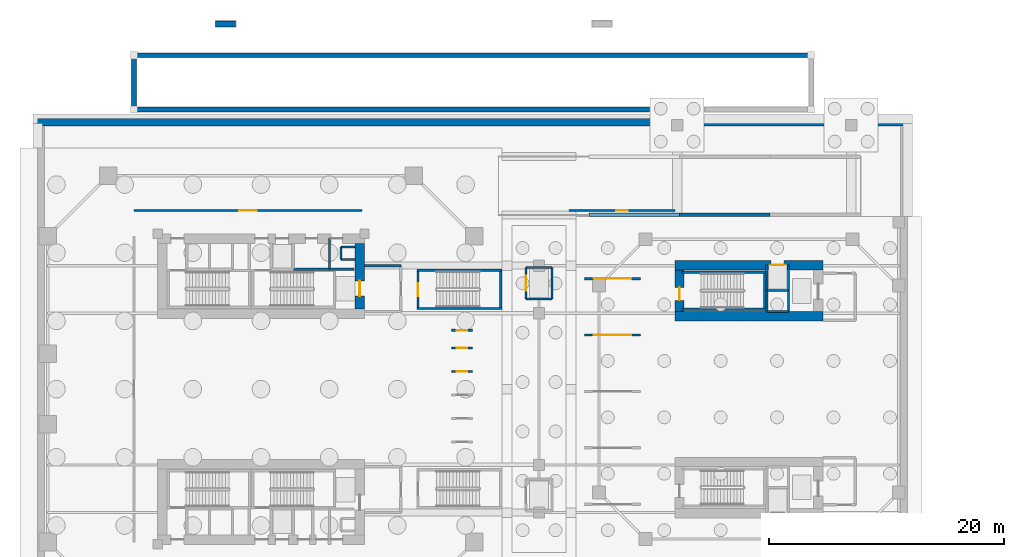
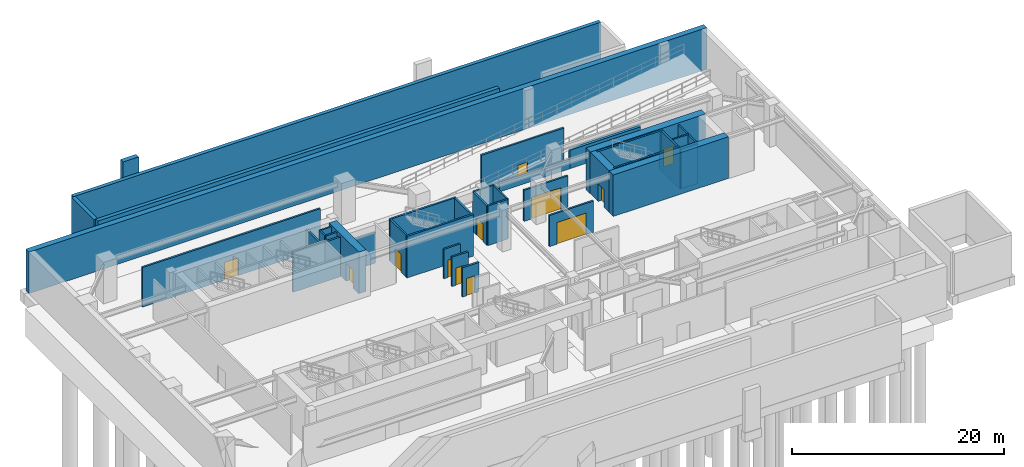
# One storey, part 7 of 13: 39 walls, 12 doors, 12 openings.
"""IFC4 building model written with IfcOpenShell, lengths in metres."""

import ifcopenshell
import ifcopenshell.guid

model = None  # the IFC model being written
_history = None  # IfcOwnerHistory: only IFC2X3 demands one
_inside = {}  # id of a spatial element -> (the spatial element, [elements in it])
_under = {}  # id of a project, library or spatial element -> (it, [spatial elements below it])
_declared = {}  # id of a project -> (the project, [libraries it declares])
_typed = {}  # id of a type object -> (the type object, [elements of that type])
_made_of = {}  # id of a material, layer set ... -> (it, [elements and type objects made of it])


def new_model(schema):
    """Start an empty IFC model of exactly this schema.

    Asked for "IFC4X3", IfcOpenShell would pick the latest addendum, in which some entities
    have other attributes; the version numbers below select the first issue.
    IFC2X3 requires an IfcOwnerHistory on every rooted entity: one is made here for all.
    """
    global model, _history
    if schema == "IFC4X3":
        model = ifcopenshell.file(schema_version=(4, 3, 0, 0))
    else:
        model = ifcopenshell.file(schema=schema)
    _inside.clear()
    _under.clear()
    _declared.clear()
    _typed.clear()
    _made_of.clear()
    _history = None
    if model.schema == "IFC2X3":
        org = make("IfcOrganization", Name="unknown")
        user = make(
            "IfcPersonAndOrganization",
            ThePerson=make("IfcPerson", FamilyName="unknown"),
            TheOrganization=org,
        )
        app = make(
            "IfcApplication",
            ApplicationDeveloper=org,
            Version="unknown",
            ApplicationFullName="unknown",
            ApplicationIdentifier="unknown",
        )
        _history = make(
            "IfcOwnerHistory",
            OwningUser=user,
            OwningApplication=app,
            ChangeAction="ADDED",
            CreationDate=0,
        )
    return model


def make(cls, **values):
    """One entity of the class cls with the attributes given. An attribute that is None is left unset."""
    return model.create_entity(
        cls, **{name: value for name, value in values.items() if value is not None}
    )


def rooted(cls, **values):
    """An entity with a GlobalId (a new one), such as an element, a storey or a relation."""
    return make(cls, GlobalId=ifcopenshell.guid.new(), OwnerHistory=_history, **values)


def si_unit(unit_type, name, prefix=None):
    """IfcSIUnit, for example si_unit("LENGTHUNIT", "METRE", prefix="MILLI")."""
    return make("IfcSIUnit", UnitType=unit_type, Prefix=prefix, Name=name)


def assignment(units):
    """IfcUnitAssignment: the units of a project."""
    return None if units is None else make("IfcUnitAssignment", Units=units)


def point(xyz):
    """IfcCartesianPoint."""
    return None if xyz is None else make("IfcCartesianPoint", Coordinates=xyz)


def direction(xyz):
    """IfcDirection."""
    return None if xyz is None else make("IfcDirection", DirectionRatios=xyz)


def frame(location, z_axis=None, x_axis=None):
    """IfcAxis2Placement3D, a coordinate frame: its origin and axes. An axis left out is left unset."""
    return make(
        "IfcAxis2Placement3D",
        Location=point(location),
        Axis=direction(z_axis),
        RefDirection=direction(x_axis),
    )


def frame_2d(location, x_axis=None):
    """IfcAxis2Placement2D, a coordinate frame in the plane: its origin and x axis."""
    return make(
        "IfcAxis2Placement2D", Location=point(location), RefDirection=direction(x_axis)
    )


def origin():
    """The frame at (0, 0, 0) with its axes left unset."""
    return frame((0.0, 0.0, 0.0))


def place(relative_to, where):
    """IfcLocalPlacement: puts the frame where relative to a parent placement (None: the world)."""
    return make(
        "IfcLocalPlacement", PlacementRelTo=relative_to, RelativePlacement=where
    )


def context(
    kind, dimensions, precision=None, world=None, true_north=None, identifier=None
):
    """IfcGeometricRepresentationContext, for example the 3D "Model" context."""
    return make(
        "IfcGeometricRepresentationContext",
        ContextIdentifier=identifier,
        ContextType=kind,
        CoordinateSpaceDimension=dimensions,
        Precision=precision,
        WorldCoordinateSystem=world,
        TrueNorth=true_north,
    )


def subcontext(parent, identifier, kind, view, scale=None):
    """IfcGeometricRepresentationSubContext, for example "Body" below "Model"."""
    return make(
        "IfcGeometricRepresentationSubContext",
        ContextIdentifier=identifier,
        ContextType=kind,
        ParentContext=parent,
        TargetScale=scale,
        TargetView=view,
    )


def project(units=None, contexts=None):
    """IfcProject with its units and contexts."""
    return rooted(
        "IfcProject",
        Name="project",
        RepresentationContexts=contexts,
        UnitsInContext=assignment(units),
    )


def spatial(cls, under=None, at=None, **own):
    """A site, building, storey or space (cls), placed at a placement, below another one or the project."""
    s = rooted(cls, ObjectPlacement=at, **own)
    if under is not None:
        _under.setdefault(under.id(), (under, []))[1].append(s)
    return s


def profile(cls, at=None, kind="AREA", **sizes):
    """A parametric profile (cls). Its sizes go by their IFC names, for example OverallWidth=200.0."""
    return make(cls, ProfileType=kind, Position=at, **sizes)


def rectangle(**sizes):
    """IfcRectangleProfileDef."""
    return profile("IfcRectangleProfileDef", **sizes)


def extrude(swept, where, along, depth):
    """IfcExtrudedAreaSolid: the profile swept, set in the frame where, extruded along a direction by depth."""
    return make(
        "IfcExtrudedAreaSolid",
        SweptArea=swept,
        Position=where,
        ExtrudedDirection=direction(along),
        Depth=depth,
    )


def shape(context_of_items, identifier, shape_type, items):
    """IfcShapeRepresentation: the items that make up one representation, for example the "Body"."""
    return make(
        "IfcShapeRepresentation",
        ContextOfItems=context_of_items,
        RepresentationIdentifier=identifier,
        RepresentationType=shape_type,
        Items=items,
    )


def source(mapping_origin, context_of_items, identifier, shape_type, items):
    """IfcRepresentationMap: a shape defined once, which mapped items show again and again."""
    return make(
        "IfcRepresentationMap",
        MappingOrigin=mapping_origin,
        MappedRepresentation=shape(context_of_items, identifier, shape_type, items),
    )


def transform(
    local_origin,
    x_axis=None,
    y_axis=None,
    z_axis=None,
    scale=None,
    scale2=None,
    scale3=None,
    uniform=True,
):
    """IfcCartesianTransformationOperator3D, or its non-uniform kind. x_axis, y_axis, z_axis: its Axis1, 2, 3."""
    if uniform:
        return make(
            "IfcCartesianTransformationOperator3D",
            Axis1=direction(x_axis),
            Axis2=direction(y_axis),
            LocalOrigin=point(local_origin),
            Scale=scale,
            Axis3=direction(z_axis),
        )
    return make(
        "IfcCartesianTransformationOperator3DnonUniform",
        Axis1=direction(x_axis),
        Axis2=direction(y_axis),
        LocalOrigin=point(local_origin),
        Scale=scale,
        Axis3=direction(z_axis),
        Scale2=scale2,
        Scale3=scale3,
    )


def mapped(mapping_source, mapping_target):
    """IfcMappedItem: shows the shape of a source again, moved by a transform."""
    return make(
        "IfcMappedItem", MappingSource=mapping_source, MappingTarget=mapping_target
    )


def material(Name=None, Category=None):
    """IfcMaterial."""
    return make("IfcMaterial", Name=Name, Category=Category)


def layer(
    of_material, thickness, ventilated=None, Name=None, Category=None, Priority=None
):
    """IfcMaterialLayer: one layer of a wall or slab, of a material (None: an air gap)."""
    return make(
        "IfcMaterialLayer",
        Material=of_material,
        LayerThickness=thickness,
        IsVentilated=ventilated,
        Name=Name,
        Category=Category,
        Priority=Priority,
    )


def layer_set(layers, Name=None):
    """IfcMaterialLayerSet."""
    return make("IfcMaterialLayerSet", MaterialLayers=layers, LayerSetName=Name)


def made_of(thing, what):
    """Note that an element or type object is made of a material, layer set ...; save() writes the relation."""
    if what is not None:
        _made_of.setdefault(what.id(), (what, []))[1].append(thing)
    return thing


def type_object(cls, material=None, **own):
    """A type object (cls), such as IfcWallType, which elements share."""
    return made_of(rooted(cls, **own), material)


def element(
    cls,
    number,
    at=None,
    inside=None,
    cuts=None,
    type_object=None,
    material=None,
    context=None,
    identifier="Body",
    shape_type=None,
    held_by="IfcProductDefinitionShape",
    body=None,
    shapes=None,
    **own,
):
    """One element of the class cls, such as IfcWall. Its Tag is "e" and its number.

    at: its placement. inside: the storey or other place that contains it. cuts: it is an
    opening in that element (IfcRelVoidsElement). A single representation is given by context,
    identifier, shape_type and body (its items); several are given by shapes. held_by: the class
    of the entity that holds the representations. save() writes the other relations.
    """
    e = rooted(cls, Tag="e%d" % number, ObjectPlacement=at, **own)
    if body is not None:
        shapes = [shape(context, identifier, shape_type, body)]
    if shapes is not None:
        e.Representation = make(held_by, Representations=shapes)
    if inside is not None:
        _inside.setdefault(inside.id(), (inside, []))[1].append(e)
    if cuts is not None:
        rooted(
            "IfcRelVoidsElement", RelatingBuildingElement=cuts, RelatedOpeningElement=e
        )
    if type_object is not None:
        _typed.setdefault(type_object.id(), (type_object, []))[1].append(e)
    return made_of(e, material)


def fill(opening, filler):
    """IfcRelFillsElement: the door or window that sits in an opening."""
    return rooted(
        "IfcRelFillsElement",
        RelatingOpeningElement=opening,
        RelatedBuildingElement=filler,
    )


def aggregate(whole, parts):
    """IfcRelAggregates: a whole, such as a stair, and the parts it consists of."""
    return rooted("IfcRelAggregates", RelatingObject=whole, RelatedObjects=parts)


def save(model, path):
    """Write the relations noted so far, then the file.

    IfcRelAggregates (storeys below a building ...), IfcRelContainedInSpatialStructure (elements
    in a storey), IfcRelDefinesByType, IfcRelAssociatesMaterial and IfcRelDeclares: one each for
    every whole, place, type object, material and project.
    """
    for whole, parts in _under.values():
        aggregate(whole, parts)
    for where, things in _inside.values():
        rooted(
            "IfcRelContainedInSpatialStructure",
            RelatedElements=things,
            RelatingStructure=where,
        )
    for kind, things in _typed.values():
        rooted("IfcRelDefinesByType", RelatedObjects=things, RelatingType=kind)
    for what, things in _made_of.values():
        rooted("IfcRelAssociatesMaterial", RelatedObjects=things, RelatingMaterial=what)
    for by, libraries in _declared.values():
        rooted("IfcRelDeclares", RelatingContext=by, RelatedDefinitions=libraries)
    model.write(path)


model = new_model("IFC4")

# Units and contexts
model_context = context("Model", 3, precision=1e-05, world=origin(), true_north=direction((0.0, 1.0)))
body_context = subcontext(model_context, "Body", "Model", "MODEL_VIEW")
ifc_project = project(units=[si_unit("LENGTHUNIT", "METRE"), si_unit("AREAUNIT", "SQUARE_METRE"), si_unit("VOLUMEUNIT", "CUBIC_METRE"), si_unit("PLANEANGLEUNIT", "RADIAN"), si_unit("MASSUNIT", "GRAM", prefix="KILO"), si_unit("THERMODYNAMICTEMPERATUREUNIT", "KELVIN"), si_unit("POWERUNIT", "WATT")], contexts=[model_context])

# Site, building, storey
site_placement = place(None, origin())
site = spatial("IfcSite", under=ifc_project, at=site_placement, CompositionType="ELEMENT")
building_placement = place(site_placement, origin())
building = spatial("IfcBuilding", under=site, at=building_placement, Name="Qiaomeng Ring Towers", CompositionType="ELEMENT")
storey_placement = place(building_placement, frame((0.0, 0.0, -9.60009765625)))
storey = spatial("IfcBuildingStorey", under=building, at=storey_placement, Name="B2", CompositionType="ELEMENT", Elevation=-9.60009765625)

# Walls
ifc_material_1 = material(Name="Autoclaved aerated concrete block", Category="concrete")
ifc_layer_1 = layer(ifc_material_1, 0.199951171875, Name="Autoclaved aerated concrete block")
ifc_layer_set_1 = layer_set([ifc_layer_1], Name="Autoclaved aerated concrete block")
wall_type_1 = type_object("IfcWallType", Name="ARC-WL-PW1", PredefinedType="PARTITIONING", material=ifc_layer_set_1)
wall_1_placement = place(storey_placement, frame((27.800048828125, 33.5, 0.0), z_axis=(0.0, 0.0, 1.0), x_axis=(1.0, 0.0, 0.0)))
element("IfcWall", 1, at=wall_1_placement, inside=storey, type_object=wall_type_1, Name="B2 Interior Wall PW1", PredefinedType="PARTITIONING", context=body_context, shape_type="SweptSolid", body=[
    extrude(rectangle(XDim=3.099853515625, YDim=0.199951171875, at=frame_2d((1.5498046875, 0.0))), origin(), (0.0, 0.0, 1.0), 3.5751953125),
])
wall_2_placement = place(storey_placement, frame((24.820068359375, 33.199951171875, 0.0), z_axis=(0.0, 0.0, 1.0), x_axis=(0.0, 1.0, 0.0)))
element("IfcWall", 2, at=wall_2_placement, inside=storey, type_object=wall_type_1, Name="B2 Interior Wall PW1", PredefinedType="PARTITIONING", context=body_context, shape_type="SweptSolid", body=[
    extrude(rectangle(XDim=2.650146484375, YDim=0.199951171875, at=frame_2d((1.3251953125, 0.0))), origin(), (0.0, 0.0, 1.0), 4.580078125),
])
wall_3_placement = place(storey_placement, frame((21.75, 33.199951171875, 0.0), z_axis=(0.0, 0.0, 1.0), x_axis=(1.0, 0.0, 0.0)))
element("IfcWall", 3, at=wall_3_placement, inside=storey, type_object=wall_type_1, Name="B2 Interior Wall PW1", PredefinedType="PARTITIONING", context=body_context, shape_type="SweptSolid", body=[
    extrude(rectangle(XDim=5.169921875, YDim=0.199951171875, at=frame_2d((2.5849609375, 0.0))), origin(), (0.0, 0.0, 1.0), 4.580078125),
])

# Wall, opening, door
wall_4_placement = place(storey_placement, frame((8.199951171875, 38.199951171875, 0.0), z_axis=(0.0, 0.0, 1.0), x_axis=(1.0, 0.0, 0.0)))
wall_4 = element("IfcWall", 4, at=wall_4_placement, inside=storey, type_object=wall_type_1, Name="B2 Interior Wall PW1", PredefinedType="PARTITIONING", context=body_context, shape_type="SweptSolid", body=[
    extrude(rectangle(XDim=19.400146484375, YDim=0.199951171875, at=frame_2d((9.7001953125, 0.0))), origin(), (0.0, 0.0, 1.0), 4.580078125),
])
opening_1_placement = place(wall_4_placement, frame((8.949951171875, 0.0, 0.0)))
opening_1 = element("IfcOpeningElement", 5, at=opening_1_placement, cuts=wall_4, Name="Opening FD2", PredefinedType="OPENING", context=body_context, shape_type="SweptSolid", body=[
    extrude(rectangle(XDim=1.5, YDim=2.050048828125, at=frame_2d((0.75, 1.02490234375))), frame((0.0, 0.10986328125, 0.0), z_axis=(0.0, -1.0, 0.0), x_axis=(1.0, 0.0, 0.0)), (0.0, 0.0, 1.0), 0.219970703125),
])
ifc_material_2 = material(Name="Galvanised steel", Category="steel")
door_type_1 = type_object("IfcDoorType", Name="ARC-DR-FD2", OperationType="NOTDEFINED", PredefinedType="DOOR", material=ifc_material_2)
shared_shape_1 = source(origin(), body_context, "Body", "SweptSolid", [
    extrude(rectangle(XDim=1.5, YDim=2.050048828125, at=frame_2d((0.75, 1.02490234375))), frame((0.0, 0.02490234375, 0.0), z_axis=(0.0, -1.0, 0.0), x_axis=(1.0, 0.0, 0.0)), (0.0, 0.0, 1.0), 0.050048828125),
])
door_1_placement = place(opening_1_placement, origin())
door_1 = element("IfcDoor", 6, at=door_1_placement, inside=storey, type_object=door_type_1, Name="B2 High Voltage Transformer and Switchgear Substation Door", OperationType="SINGLE_SWING_RIGHT", OverallHeight=2.050048828125, OverallWidth=1.5, PredefinedType="DOOR", context=body_context, shape_type="MappedRepresentation", body=[
    mapped(shared_shape_1, transform((0.0, 0.0, 0.0), x_axis=(1.0, 0.0, 0.0), y_axis=(0.0, 1.0, 0.0), z_axis=(0.0, 0.0, 1.0), scale=1.0)),
])
fill(opening_1, door_1)

wall_5_placement = place(storey_placement, frame((45.199951171875, 38.199951171875, 0.0), z_axis=(0.0, 0.0, 1.0), x_axis=(1.0, 0.0, 0.0)))
wall_5 = element("IfcWall", 7, at=wall_5_placement, inside=storey, type_object=wall_type_1, Name="B2 Interior Wall PW1", PredefinedType="PARTITIONING", context=body_context, shape_type="SweptSolid", body=[
    extrude(rectangle(XDim=9.0, YDim=0.199951171875, at=frame_2d((4.5, 0.0))), origin(), (0.0, 0.0, 1.0), 4.580078125),
])
opening_2_placement = place(wall_5_placement, frame((4.0, 0.0, 0.0)))
opening_2 = element("IfcOpeningElement", 8, at=opening_2_placement, cuts=wall_5, Name="Opening FD1", PredefinedType="OPENING", context=body_context, shape_type="SweptSolid", body=[
    extrude(rectangle(XDim=1.0, YDim=2.050048828125, at=frame_2d((0.5, 1.02490234375))), frame((0.0, 0.10986328125, 0.0), z_axis=(0.0, -1.0, 0.0), x_axis=(1.0, 0.0, 0.0)), (0.0, 0.0, 1.0), 0.219970703125),
])
door_type_2 = type_object("IfcDoorType", Name="ARC-DR-FD1", OperationType="NOTDEFINED", PredefinedType="DOOR", material=ifc_material_2)
shared_shape_2 = source(origin(), body_context, "Body", "SweptSolid", [
    extrude(rectangle(XDim=1.0, YDim=2.050048828125, at=frame_2d((0.5, 1.02490234375))), frame((0.0, 0.02490234375, 0.0), z_axis=(0.0, -1.0, 0.0), x_axis=(1.0, 0.0, 0.0)), (0.0, 0.0, 1.0), 0.050048828125),
])
door_2_placement = place(opening_2_placement, origin())
door_2 = element("IfcDoor", 9, at=door_2_placement, inside=storey, type_object=door_type_2, Name="B2 Emergency Diesel Generator and Smoke Fan Room Door", OperationType="SINGLE_SWING_RIGHT", OverallHeight=2.050048828125, OverallWidth=1.0, PredefinedType="DOOR", context=body_context, shape_type="MappedRepresentation", body=[
    mapped(shared_shape_2, transform((0.0, 0.0, 0.0), x_axis=(1.0, 0.0, 0.0), y_axis=(0.0, 1.0, 0.0), z_axis=(0.0, 0.0, 1.0), scale=1.0)),
])
fill(opening_2, door_2)

wall_6_placement = place(storey_placement, frame((46.5, 27.60009765625, 0.0), z_axis=(0.0, 0.0, 1.0), x_axis=(1.0, 0.0, 0.0)))
wall_6 = element("IfcWall", 10, at=wall_6_placement, inside=storey, type_object=wall_type_1, Name="B2 Plant Equipment Bay Wall 3", PredefinedType="PARTITIONING", context=body_context, shape_type="SweptSolid", body=[
    extrude(rectangle(XDim=4.800048828125, YDim=0.199951171875, at=frame_2d((2.39990234375, 0.0))), origin(), (0.0, 0.0, 1.0), 3.60009765625),
])
opening_3_placement = place(wall_6_placement, frame((0.800048828125, 0.0, 0.0)))
opening_3 = element("IfcOpeningElement", 11, at=opening_3_placement, cuts=wall_6, Name="Opening SH2", PredefinedType="OPENING", context=body_context, shape_type="SweptSolid", body=[
    extrude(rectangle(XDim=3.199951171875, YDim=2.5, at=frame_2d((1.60009765625, 1.25))), frame((0.0, 0.10986328125, 0.0), z_axis=(0.0, -1.0, 0.0), x_axis=(1.0, 0.0, 0.0)), (0.0, 0.0, 1.0), 0.219970703125),
])
door_type_3 = type_object("IfcDoorType", Name="ARC-DR-SH2", OperationType="NOTDEFINED", PredefinedType="GATE", material=ifc_material_2)
shared_shape_3 = source(origin(), body_context, "Body", "SweptSolid", [
    extrude(rectangle(XDim=3.199951171875, YDim=2.5, at=frame_2d((1.60009765625, 1.25))), frame((0.0, 0.02490234375, 0.0), z_axis=(0.0, -1.0, 0.0), x_axis=(1.0, 0.0, 0.0)), (0.0, 0.0, 1.0), 0.050048828125),
])
door_3_placement = place(opening_3_placement, origin())
door_3 = element("IfcDoor", 12, at=door_3_placement, inside=storey, type_object=door_type_3, Name="B2 Service Roller Shutter SH2-3", OperationType="ROLLINGUP", OverallHeight=2.5, OverallWidth=3.199951171875, PredefinedType="GATE", context=body_context, shape_type="MappedRepresentation", body=[
    mapped(shared_shape_3, transform((0.0, 0.0, 0.0), x_axis=(1.0, 0.0, 0.0), y_axis=(0.0, 1.0, 0.0), z_axis=(0.0, 0.0, 1.0), scale=1.0)),
])
fill(opening_3, door_3)

wall_7_placement = place(storey_placement, frame((46.5, 32.39990234375, 0.0), z_axis=(0.0, 0.0, 1.0), x_axis=(1.0, 0.0, 0.0)))
wall_7 = element("IfcWall", 13, at=wall_7_placement, inside=storey, type_object=wall_type_1, Name="B2 Plant Equipment Bay Wall 4", PredefinedType="PARTITIONING", context=body_context, shape_type="SweptSolid", body=[
    extrude(rectangle(XDim=4.800048828125, YDim=0.199951171875, at=frame_2d((2.39990234375, 0.0))), origin(), (0.0, 0.0, 1.0), 3.60009765625),
])
opening_4_placement = place(wall_7_placement, frame((0.800048828125, 0.0, 0.0)))
opening_4 = element("IfcOpeningElement", 14, at=opening_4_placement, cuts=wall_7, Name="Opening SH2", PredefinedType="OPENING", context=body_context, shape_type="SweptSolid", body=[
    extrude(rectangle(XDim=3.199951171875, YDim=2.5, at=frame_2d((1.60009765625, 1.25))), frame((0.0, 0.10986328125, 0.0), z_axis=(0.0, -1.0, 0.0), x_axis=(1.0, 0.0, 0.0)), (0.0, 0.0, 1.0), 0.219970703125),
])
door_4_placement = place(opening_4_placement, origin())
door_4 = element("IfcDoor", 15, at=door_4_placement, inside=storey, type_object=door_type_3, Name="B2 Service Roller Shutter SH2-4", OperationType="ROLLINGUP", OverallHeight=2.5, OverallWidth=3.199951171875, PredefinedType="GATE", context=body_context, shape_type="MappedRepresentation", body=[
    mapped(shared_shape_3, transform((0.0, 0.0, 0.0), x_axis=(1.0, 0.0, 0.0), y_axis=(0.0, 1.0, 0.0), z_axis=(0.0, 0.0, 1.0), scale=1.0)),
])
fill(opening_4, door_4)

wall_8_placement = place(storey_placement, frame((35.199951171875, 24.5, 0.0), z_axis=(0.0, 0.0, 1.0), x_axis=(1.0, 0.0, 0.0)))
wall_8 = element("IfcWall", 16, at=wall_8_placement, inside=storey, type_object=wall_type_1, Name="B2 Pipe Trench Access Wall 4", PredefinedType="PARTITIONING", context=body_context, shape_type="SweptSolid", body=[
    extrude(rectangle(XDim=1.800048828125, YDim=0.199951171875, at=frame_2d((0.89990234375, 0.0))), origin(), (0.0, 0.0, 1.0), 3.400146484375),
])
opening_5_placement = place(wall_8_placement, frame((0.449951171875, 0.0, 0.0)))
opening_5 = element("IfcOpeningElement", 17, at=opening_5_placement, cuts=wall_8, Name="Opening TD1", PredefinedType="OPENING", context=body_context, shape_type="SweptSolid", body=[
    extrude(rectangle(XDim=0.89990234375, YDim=2.0, at=frame_2d((0.449951171875, 1.0))), frame((0.0, 0.10986328125, 0.0), z_axis=(0.0, -1.0, 0.0), x_axis=(1.0, 0.0, 0.0)), (0.0, 0.0, 1.0), 0.219970703125),
])
door_type_4 = type_object("IfcDoorType", Name="ARC-DR-TD1", OperationType="NOTDEFINED", PredefinedType="TRAPDOOR", material=ifc_material_2)
shared_shape_4 = source(origin(), body_context, "Body", "SweptSolid", [
    extrude(rectangle(XDim=0.89990234375, YDim=2.0, at=frame_2d((0.449951171875, 1.0))), frame((0.0, 0.02490234375, 0.0), z_axis=(0.0, -1.0, 0.0), x_axis=(1.0, 0.0, 0.0)), (0.0, 0.0, 1.0), 0.050048828125),
])
door_5_placement = place(opening_5_placement, origin())
door_5 = element("IfcDoor", 18, at=door_5_placement, inside=storey, type_object=door_type_4, Name="B2 Riser Access Trapdoor TD1-4", OperationType="SINGLE_SWING_LEFT", OverallHeight=2.0, OverallWidth=0.89990234375, PredefinedType="TRAPDOOR", context=body_context, shape_type="MappedRepresentation", body=[
    mapped(shared_shape_4, transform((0.0, 0.0, 0.0), x_axis=(1.0, 0.0, 0.0), y_axis=(0.0, 1.0, 0.0), z_axis=(0.0, 0.0, 1.0), scale=1.0)),
])
fill(opening_5, door_5)

wall_9_placement = place(storey_placement, frame((35.199951171875, 26.5, 0.0), z_axis=(0.0, 0.0, 1.0), x_axis=(1.0, 0.0, 0.0)))
wall_9 = element("IfcWall", 19, at=wall_9_placement, inside=storey, type_object=wall_type_1, Name="B2 Pipe Trench Access Wall 5", PredefinedType="PARTITIONING", context=body_context, shape_type="SweptSolid", body=[
    extrude(rectangle(XDim=1.800048828125, YDim=0.199951171875, at=frame_2d((0.89990234375, 0.0))), origin(), (0.0, 0.0, 1.0), 3.400146484375),
])
opening_6_placement = place(wall_9_placement, frame((0.449951171875, 0.0, 0.0)))
opening_6 = element("IfcOpeningElement", 20, at=opening_6_placement, cuts=wall_9, Name="Opening TD1", PredefinedType="OPENING", context=body_context, shape_type="SweptSolid", body=[
    extrude(rectangle(XDim=0.89990234375, YDim=2.0, at=frame_2d((0.449951171875, 1.0))), frame((0.0, 0.10986328125, 0.0), z_axis=(0.0, -1.0, 0.0), x_axis=(1.0, 0.0, 0.0)), (0.0, 0.0, 1.0), 0.219970703125),
])
door_6_placement = place(opening_6_placement, origin())
door_6 = element("IfcDoor", 21, at=door_6_placement, inside=storey, type_object=door_type_4, Name="B2 Riser Access Trapdoor TD1-5", OperationType="SINGLE_SWING_LEFT", OverallHeight=2.0, OverallWidth=0.89990234375, PredefinedType="TRAPDOOR", context=body_context, shape_type="MappedRepresentation", body=[
    mapped(shared_shape_4, transform((0.0, 0.0, 0.0), x_axis=(1.0, 0.0, 0.0), y_axis=(0.0, 1.0, 0.0), z_axis=(0.0, 0.0, 1.0), scale=1.0)),
])
fill(opening_6, door_6)

wall_10_placement = place(storey_placement, frame((35.199951171875, 28.0, 0.0), z_axis=(0.0, 0.0, 1.0), x_axis=(1.0, 0.0, 0.0)))
wall_10 = element("IfcWall", 22, at=wall_10_placement, inside=storey, type_object=wall_type_1, Name="B2 Pipe Trench Access Wall 6", PredefinedType="PARTITIONING", context=body_context, shape_type="SweptSolid", body=[
    extrude(rectangle(XDim=1.800048828125, YDim=0.199951171875, at=frame_2d((0.89990234375, 0.0))), origin(), (0.0, 0.0, 1.0), 3.400146484375),
])
opening_7_placement = place(wall_10_placement, frame((0.449951171875, 0.0, 0.0)))
opening_7 = element("IfcOpeningElement", 23, at=opening_7_placement, cuts=wall_10, Name="Opening TD1", PredefinedType="OPENING", context=body_context, shape_type="SweptSolid", body=[
    extrude(rectangle(XDim=0.89990234375, YDim=2.0, at=frame_2d((0.449951171875, 1.0))), frame((0.0, 0.10986328125, 0.0), z_axis=(0.0, -1.0, 0.0), x_axis=(1.0, 0.0, 0.0)), (0.0, 0.0, 1.0), 0.219970703125),
])
door_7_placement = place(opening_7_placement, origin())
door_7 = element("IfcDoor", 24, at=door_7_placement, inside=storey, type_object=door_type_4, Name="B2 Riser Access Trapdoor TD1-6", OperationType="SINGLE_SWING_LEFT", OverallHeight=2.0, OverallWidth=0.89990234375, PredefinedType="TRAPDOOR", context=body_context, shape_type="MappedRepresentation", body=[
    mapped(shared_shape_4, transform((0.0, 0.0, 0.0), x_axis=(1.0, 0.0, 0.0), y_axis=(0.0, 1.0, 0.0), z_axis=(0.0, 0.0, 1.0), scale=1.0)),
])
fill(opening_7, door_7)

# Walls
ifc_material_3 = material(Name="Concrete C40", Category="concrete")
ifc_layer_2 = layer(ifc_material_3, 0.60009765625, Name="Concrete C40")
ifc_layer_set_2 = layer_set([ifc_layer_2], Name="Concrete C40")
wall_type_2 = type_object("IfcWallType", Name="STR-WL-BW1", PredefinedType="SOLIDWALL", material=ifc_layer_set_2)
wall_11_placement = place(storey_placement, frame((0.0, 45.699951171875, 0.0), z_axis=(0.0, 0.0, 1.0), x_axis=(1.0, 0.0, 0.0)))
element("IfcWall", 25, at=wall_11_placement, inside=storey, type_object=wall_type_2, Name="B2 RET north core shear wall", PredefinedType="SOLIDWALL", context=body_context, shape_type="SweptSolid", body=[
    extrude(rectangle(XDim=74.0, YDim=0.60009765625, at=frame_2d((37.0, 0.0))), origin(), (0.0, 0.0, 1.0), 4.800048828125),
])
ifc_layer_3 = layer(ifc_material_3, 0.39990234375, Name="Concrete C40")
ifc_layer_set_3 = layer_set([ifc_layer_3], Name="Concrete C40")
wall_type_3 = type_object("IfcWallType", Name="STR-WL-BW2", PredefinedType="SOLIDWALL", material=ifc_layer_set_3)
wall_12_placement = place(storey_placement, frame((8.199951171875, 46.780029296875, 0.0), z_axis=(0.0, 0.0, 1.0), x_axis=(1.0, 0.0, 0.0)))
element("IfcWall", 26, at=wall_12_placement, inside=storey, type_object=wall_type_3, Name="B2 Apron Retaining Plinth Wall PLZ-N-S1", PredefinedType="SOLIDWALL", context=body_context, shape_type="SweptSolid", body=[
    extrude(rectangle(XDim=43.85009765625, YDim=0.39990234375, at=frame_2d((21.925048828125, 0.0))), origin(), (0.0, 0.0, 1.0), 4.800048828125),
])
wall_13_placement = place(storey_placement, frame((8.199951171875, 51.39990234375, 0.0), z_axis=(0.0, 0.0, 1.0), x_axis=(1.0, 0.0, 0.0)))
element("IfcWall", 27, at=wall_13_placement, inside=storey, type_object=wall_type_3, Name="B2 Apron Retaining Plinth Wall PLZ-N-N", PredefinedType="SOLIDWALL", context=body_context, shape_type="SweptSolid", body=[
    extrude(rectangle(XDim=57.60009765625, YDim=0.39990234375, at=frame_2d((28.800048828125, 0.0))), origin(), (0.0, 0.0, 1.0), 4.800048828125),
])
wall_14_placement = place(storey_placement, frame((8.199951171875, 46.97998046875, 0.0), z_axis=(0.0, 0.0, 1.0), x_axis=(0.0, 1.0, 0.0)))
element("IfcWall", 28, at=wall_14_placement, inside=storey, type_object=wall_type_3, Name="B2 Apron Retaining Plinth Wall PLZ-N-W", PredefinedType="SOLIDWALL", context=body_context, shape_type="SweptSolid", body=[
    extrude(rectangle(XDim=4.219970703125, YDim=0.39990234375, at=frame_2d((2.10986328125, 0.0))), origin(), (0.0, 0.0, 1.0), 4.800048828125),
])
wall_15_placement = place(storey_placement, frame((46.89990234375, 37.820068359375, 0.0), z_axis=(0.0, 0.0, 1.0), x_axis=(1.0, 0.0, 0.0)))
element("IfcWall", 29, at=wall_15_placement, inside=storey, type_object=wall_type_3, Name="B2 Vehicle Ramp R2 Stepped Support Wall S2", PredefinedType="SOLIDWALL", context=body_context, shape_type="SweptSolid", body=[
    extrude(rectangle(XDim=7.7001953125, YDim=0.300048828125, at=frame_2d((3.85009765625, 0.0))), origin(), (0.0, 0.0, 1.0), 0.940185546875),
])
wall_16_placement = place(storey_placement, frame((54.60009765625, 37.820068359375, 0.0), z_axis=(0.0, 0.0, 1.0), x_axis=(1.0, 0.0, 0.0)))
element("IfcWall", 30, at=wall_16_placement, inside=storey, type_object=wall_type_3, Name="B2 Vehicle Ramp R2 Stepped Support Wall S3", PredefinedType="SOLIDWALL", context=body_context, shape_type="SweptSolid", body=[
    extrude(rectangle(XDim=7.699951171875, YDim=0.300048828125, at=frame_2d((3.85009765625, 0.0))), origin(), (0.0, 0.0, 1.0), 2.14013671875),
])
wall_17_placement = place(storey_placement, frame((15.14990234375, 54.072998046875, 0.0), z_axis=(0.0, 0.0, 1.0), x_axis=(1.0, 0.0, 0.0)))
element("IfcWall", 31, at=wall_17_placement, inside=storey, type_object=wall_type_3, Name="B2 AR3 Kerb Plinth", PredefinedType="SOLIDWALL", context=body_context, shape_type="SweptSolid", body=[
    extrude(rectangle(XDim=1.7001953125, YDim=0.5, at=frame_2d((0.85009765625, 0.0))), origin(), (0.0, 0.0, 1.0), 4.800048828125),
])
ifc_layer_4 = layer(ifc_material_3, 0.199951171875, Name="Concrete C40")
ifc_layer_set_4 = layer_set([ifc_layer_4], Name="Concrete C40")
wall_type_4 = type_object("IfcWallType", Name="STR-WL-STSHAFT", PredefinedType="SHEAR", material=ifc_layer_set_4)
wall_18_placement = place(storey_placement, frame((25.800048828125, 34.02001953125, 0.0), z_axis=(0.0, 0.0, 1.0), x_axis=(0.0, 1.0, 0.0)))
element("IfcWall", 32, at=wall_18_placement, inside=storey, type_object=wall_type_4, Name="B2 Riser RSR1 West Shaft Wall N", PredefinedType="SHEAR", context=body_context, shape_type="SweptSolid", body=[
    extrude(rectangle(XDim=1.06005859375, YDim=0.179931640625, at=frame_2d((0.530029296875, 0.0))), origin(), (0.0, 0.0, 1.0), 4.580078125),
])
for number, where, z_axis, x_axis, name in (
    (33, (25.800048828125, 35.080078125, 0.0), (0.0, 0.0, 1.0), (1.0, 0.0, 0.0), "B2 Riser RSR1 North Shaft Wall N"),
    (34, (25.800048828125, 34.02001953125, 0.0), (0.0, 0.0, 1.0), (1.0, 0.0, 0.0), "B2 Riser RSR1 South Shaft Wall N"),
):
    element("IfcWall", number, at=place(storey_placement, frame(where, z_axis=z_axis, x_axis=x_axis)), inside=storey, type_object=wall_type_4, Name=name, PredefinedType="SHEAR", context=body_context, shape_type="SweptSolid", body=[
        extrude(rectangle(XDim=1.199951171875, YDim=0.179931640625, at=frame_2d((0.60009765625, 0.0))), origin(), (0.0, 0.0, 1.0), 4.580078125),
    ])
for number, where, z_axis, x_axis, name in (
    (35, (62.02001953125, 29.60009765625, 0.0), (0.0, 0.0, 1.0), (0.0, 1.0, 0.0), "B2 Companion Lift Shaft West Wall N"),
    (36, (63.8798828125, 29.60009765625, 0.0), (0.0, 0.0, 1.0), (0.0, 1.0, 0.0), "B2 Companion Lift Shaft East Wall N"),
):
    element("IfcWall", number, at=place(storey_placement, frame(where, z_axis=z_axis, x_axis=x_axis)), inside=storey, type_object=wall_type_4, Name=name, PredefinedType="SHEAR", context=body_context, shape_type="SweptSolid", body=[
        extrude(rectangle(XDim=3.949951171875, YDim=0.179931640625, at=frame_2d((1.97509765625, 0.0))), origin(), (0.0, 0.0, 1.0), 4.580078125),
    ])
for number, where, z_axis, x_axis, name in (
    (37, (62.02001953125, 31.3798828125, 0.0), (0.0, 0.0, 1.0), (1.0, 0.0, 0.0), "B2 Companion Lift Shaft Divider Wall N"),
    (38, (62.02001953125, 29.60009765625, 0.0), (0.0, 0.0, 1.0), (1.0, 0.0, 0.0), "B2 Companion Riser Shaft Back Wall N"),
):
    element("IfcWall", number, at=place(storey_placement, frame(where, z_axis=z_axis, x_axis=x_axis)), inside=storey, type_object=wall_type_4, Name=name, PredefinedType="SHEAR", context=body_context, shape_type="SweptSolid", body=[
        extrude(rectangle(XDim=1.85986328125, YDim=0.179931640625, at=frame_2d((0.929931640625, 0.0))), origin(), (0.0, 0.0, 1.0), 4.580078125),
    ])

# Wall, opening, door
wall_19_placement = place(storey_placement, frame((41.550048828125, 30.64990234375, 0.0), z_axis=(0.0, 0.0, 1.0), x_axis=(0.0, 1.0, 0.0)))
wall_19 = element("IfcWall", 39, at=wall_19_placement, inside=storey, type_object=wall_type_4, Name="B2 Medical Lift LP9 West Shaft Wall", PredefinedType="SHEAR", context=body_context, shape_type="SweptSolid", body=[
    extrude(rectangle(XDim=2.7001953125, YDim=0.179931640625, at=frame_2d((1.35009765625, 0.0))), origin(), (0.0, 0.0, 1.0), 4.580078125),
])
opening_8_placement = place(wall_19_placement, frame((0.699951171875, 0.0, 0.0)))
opening_8 = element("IfcOpeningElement", 40, at=opening_8_placement, cuts=wall_19, Name="Opening LD2", PredefinedType="OPENING", context=body_context, shape_type="SweptSolid", body=[
    extrude(rectangle(XDim=1.300048828125, YDim=2.050048828125, at=frame_2d((0.64990234375, 1.02490234375))), frame((0.0, 0.099853515625, 0.0), z_axis=(0.0, -1.0, 0.0), x_axis=(1.0, 0.0, 0.0)), (0.0, 0.0, 1.0), 0.199951171875),
])
ifc_material_4 = material(Name="Stainless steel 316", Category="steel")
door_type_5 = type_object("IfcDoorType", Name="ARC-DR-LD2", OperationType="NOTDEFINED", PredefinedType="DOOR", material=ifc_material_4)
shared_shape_5 = source(origin(), body_context, "Body", "SweptSolid", [
    extrude(rectangle(XDim=1.300048828125, YDim=2.050048828125, at=frame_2d((0.64990234375, 1.02490234375))), frame((0.0, 0.02490234375, 0.0), z_axis=(0.0, -1.0, 0.0), x_axis=(1.0, 0.0, 0.0)), (0.0, 0.0, 1.0), 0.050048828125),
])
door_8_placement = place(opening_8_placement, origin())
door_8 = element("IfcDoor", 41, at=door_8_placement, inside=storey, type_object=door_type_5, Name="B2 Medical Lift LP9 Landing Door", OperationType="SLIDING_TO_LEFT", OverallHeight=2.050048828125, OverallWidth=1.300048828125, PredefinedType="DOOR", context=body_context, shape_type="MappedRepresentation", body=[
    mapped(shared_shape_5, transform((0.0, 0.0, 0.0), x_axis=(1.0, 0.0, 0.0), y_axis=(0.0, 1.0, 0.0), z_axis=(0.0, 0.0, 1.0), scale=1.0)),
])
fill(opening_8, door_8)

# Walls
wall_20_placement = place(storey_placement, frame((43.75, 30.64990234375, 0.0), z_axis=(0.0, 0.0, 1.0), x_axis=(0.0, 1.0, 0.0)))
element("IfcWall", 42, at=wall_20_placement, inside=storey, type_object=wall_type_4, Name="B2 Medical Lift LP9 East Shaft Wall", PredefinedType="SHEAR", context=body_context, shape_type="SweptSolid", body=[
    extrude(rectangle(XDim=2.7001953125, YDim=0.179931640625, at=frame_2d((1.35009765625, 0.0))), origin(), (0.0, 0.0, 1.0), 4.580078125),
])
for number, where, z_axis, x_axis, name in (
    (43, (41.550048828125, 30.64990234375, 0.0), (0.0, 0.0, 1.0), (1.0, 0.0, 0.0), "B2 Medical Lift LP9 South Shaft Wall"),
    (44, (41.550048828125, 33.35009765625, 0.0), (0.0, 0.0, 1.0), (1.0, 0.0, 0.0), "B2 Medical Lift LP9 North Shaft Wall"),
):
    element("IfcWall", number, at=place(storey_placement, frame(where, z_axis=z_axis, x_axis=x_axis)), inside=storey, type_object=wall_type_4, Name=name, PredefinedType="SHEAR", context=body_context, shape_type="SweptSolid", body=[
        extrude(rectangle(XDim=2.199951171875, YDim=0.179931640625, at=frame_2d((1.10009765625, 0.0))), origin(), (0.0, 0.0, 1.0), 4.580078125),
    ])
for number, where, z_axis, x_axis, name in (
    (45, (54.800048828125, 29.800048828125, 0.0), (0.0, 0.0, 1.0), (1.0, 0.0, 0.0), "B2 Stair ST5 South Shaft Shear Wall"),
    (46, (54.800048828125, 32.93994140625, 0.0), (0.0, 0.0, 1.0), (1.0, 0.0, 0.0), "B2 Stair ST5 North Shaft Shear Wall"),
):
    element("IfcWall", number, at=place(storey_placement, frame(where, z_axis=z_axis, x_axis=x_axis)), inside=storey, type_object=wall_type_4, Name=name, PredefinedType="SHEAR", context=body_context, shape_type="SweptSolid", body=[
        extrude(rectangle(XDim=7.14990234375, YDim=0.199951171875, at=frame_2d((3.574951171875, 0.0))), origin(), (0.0, 0.0, 1.0), 4.800048828125),
    ])
wall_21_placement = place(storey_placement, frame((61.85009765625, 29.89990234375, 0.0), z_axis=(0.0, 0.0, 1.0), x_axis=(0.0, 1.0, 0.0)))
element("IfcWall", 47, at=wall_21_placement, inside=storey, type_object=wall_type_4, Name="B2 Stair ST5 East Shaft Shear Wall", PredefinedType="SHEAR", context=body_context, shape_type="SweptSolid", body=[
    extrude(rectangle(XDim=2.940185546875, YDim=0.199951171875, at=frame_2d((1.47021484375, 0.0))), origin(), (0.0, 0.0, 1.0), 4.800048828125),
])
for number, where, z_axis, x_axis, name in (
    (48, (32.25, 29.860107421875, 0.0), (0.0, 0.0, 1.0), (1.0, 0.0, 0.0), "B2 Stair ST7 South Shaft Shear Wall"),
    (49, (32.25, 33.10009765625, 0.0), (0.0, 0.0, 1.0), (1.0, 0.0, 0.0), "B2 Stair ST7 North Shaft Shear Wall"),
):
    element("IfcWall", number, at=place(storey_placement, frame(where, z_axis=z_axis, x_axis=x_axis)), inside=storey, type_object=wall_type_4, Name=name, PredefinedType="SHEAR", context=body_context, shape_type="SweptSolid", body=[
        extrude(rectangle(XDim=7.25, YDim=0.199951171875, at=frame_2d((3.625, 0.0))), origin(), (0.0, 0.0, 1.0), 4.800048828125),
    ])

# Wall, opening, door
wall_22_placement = place(storey_placement, frame((32.35009765625, 29.9599609375, 0.0), z_axis=(0.0, 0.0, 1.0), x_axis=(0.0, 1.0, 0.0)))
wall_22 = element("IfcWall", 50, at=wall_22_placement, inside=storey, type_object=wall_type_4, Name="B2 Stair ST7 West Shaft Shear Wall", PredefinedType="SHEAR", context=body_context, shape_type="SweptSolid", body=[
    extrude(rectangle(XDim=3.0400390625, YDim=0.199951171875, at=frame_2d((1.52001953125, 0.0))), origin(), (0.0, 0.0, 1.0), 4.800048828125),
])
opening_9_placement = place(wall_22_placement, frame((0.949951171875, 0.0, 0.0)))
opening_9 = element("IfcOpeningElement", 51, at=opening_9_placement, cuts=wall_22, Name="Opening FD3", PredefinedType="OPENING", context=body_context, shape_type="SweptSolid", body=[
    extrude(rectangle(XDim=1.10009765625, YDim=2.050048828125, at=frame_2d((0.550048828125, 1.02490234375))), frame((0.0, 0.10986328125, 0.0), z_axis=(0.0, -1.0, 0.0), x_axis=(1.0, 0.0, 0.0)), (0.0, 0.0, 1.0), 0.219970703125),
])
door_type_6 = type_object("IfcDoorType", Name="ARC-DR-FD3", OperationType="NOTDEFINED", PredefinedType="DOOR", material=ifc_material_2)
shared_shape_6 = source(origin(), body_context, "Body", "SweptSolid", [
    extrude(rectangle(XDim=1.10009765625, YDim=2.050048828125, at=frame_2d((0.550048828125, 1.02490234375))), frame((0.0, 0.02490234375, 0.0), z_axis=(0.0, -1.0, 0.0), x_axis=(1.0, 0.0, 0.0)), (0.0, 0.0, 1.0), 0.050048828125),
])
door_9_placement = place(opening_9_placement, origin())
door_9 = element("IfcDoor", 52, at=door_9_placement, inside=storey, type_object=door_type_6, Name="B2 Podium Stair ST7 Exit Door", OperationType="SINGLE_SWING_RIGHT", OverallHeight=2.050048828125, OverallWidth=1.10009765625, PredefinedType="DOOR", context=body_context, shape_type="MappedRepresentation", body=[
    mapped(shared_shape_6, transform((0.0, 0.0, 0.0), x_axis=(1.0, 0.0, 0.0), y_axis=(0.0, 1.0, 0.0), z_axis=(0.0, 0.0, 1.0), scale=1.0)),
])
fill(opening_9, door_9)

# Wall
wall_23_placement = place(storey_placement, frame((39.39990234375, 29.9599609375, 0.0), z_axis=(0.0, 0.0, 1.0), x_axis=(0.0, 1.0, 0.0)))
element("IfcWall", 53, at=wall_23_placement, inside=storey, type_object=wall_type_4, Name="B2 Stair ST7 East Shaft Shear Wall", PredefinedType="SHEAR", context=body_context, shape_type="SweptSolid", body=[
    extrude(rectangle(XDim=3.0400390625, YDim=0.199951171875, at=frame_2d((1.52001953125, 0.0))), origin(), (0.0, 0.0, 1.0), 4.800048828125),
])

# Wall, opening, door
ifc_material_5 = material(Name="Concrete C60", Category="concrete")
ifc_layer_5 = layer(ifc_material_5, 0.800048828125, Name="Concrete C60")
ifc_layer_set_5 = layer_set([ifc_layer_5], Name="Concrete C60")
wall_type_5 = type_object("IfcWallType", Name="STR-WL-SW1", PredefinedType="SHEAR", material=ifc_layer_set_5)
wall_24_placement = place(storey_placement, frame((27.39990234375, 29.800048828125, 0.0), z_axis=(0.0, 0.0, 1.0), x_axis=(0.0, 1.0, 0.0)))
wall_24 = element("IfcWall", 54, at=wall_24_placement, inside=storey, type_object=wall_type_5, Name="B2 T1NC east core shear wall", PredefinedType="SHEAR", context=body_context, shape_type="SweptSolid", body=[
    extrude(rectangle(XDim=5.599853515625, YDim=0.800048828125, at=frame_2d((2.7998046875, 0.0))), origin(), (0.0, 0.0, 1.0), 4.800048828125),
])
opening_10_placement = place(wall_24_placement, frame((1.10009765625, 0.0, 0.0)))
opening_10 = element("IfcOpeningElement", 55, at=opening_10_placement, cuts=wall_24, Name="Opening LD2", PredefinedType="OPENING", context=body_context, shape_type="SweptSolid", body=[
    extrude(rectangle(XDim=1.300048828125, YDim=2.050048828125, at=frame_2d((0.64990234375, 1.02490234375))), frame((0.0, 0.409912109375, 0.0), z_axis=(0.0, -1.0, 0.0), x_axis=(1.0, 0.0, 0.0)), (0.0, 0.0, 1.0), 0.820068359375),
])
door_10_placement = place(opening_10_placement, origin())
door_10 = element("IfcDoor", 56, at=door_10_placement, inside=storey, type_object=door_type_5, Name="B2 Firefighting Lift FL1 Landing Door", OperationType="SLIDING_TO_LEFT", OverallHeight=2.050048828125, OverallWidth=1.300048828125, PredefinedType="DOOR", context=body_context, shape_type="MappedRepresentation", body=[
    mapped(shared_shape_5, transform((0.0, 0.0, 0.0), x_axis=(1.0, 0.0, 0.0), y_axis=(0.0, 1.0, 0.0), z_axis=(0.0, 0.0, 1.0), scale=1.0)),
])
fill(opening_10, door_10)

# Wall
wall_25_placement = place(storey_placement, frame((54.199951171875, 29.199951171875, 0.0), z_axis=(0.0, 0.0, 1.0), x_axis=(1.0, 0.0, 0.0)))
element("IfcWall", 57, at=wall_25_placement, inside=storey, type_object=wall_type_5, Name="B2 T2NC south core shear wall", PredefinedType="SHEAR", context=body_context, shape_type="SweptSolid", body=[
    extrude(rectangle(XDim=12.60009765625, YDim=0.800048828125, at=frame_2d((6.300048828125, 0.0))), origin(), (0.0, 0.0, 1.0), 4.800048828125),
])

# Wall, opening, door
wall_26_placement = place(storey_placement, frame((54.199951171875, 33.550048828125, 0.0), z_axis=(0.0, 0.0, 1.0), x_axis=(1.0, 0.0, 0.0)))
wall_26 = element("IfcWall", 58, at=wall_26_placement, inside=storey, type_object=wall_type_5, Name="B2 T2NC north core shear wall", PredefinedType="SHEAR", context=body_context, shape_type="SweptSolid", body=[
    extrude(rectangle(XDim=12.60009765625, YDim=0.800048828125, at=frame_2d((6.300048828125, 0.0))), origin(), (0.0, 0.0, 1.0), 4.800048828125),
])
opening_11_placement = place(wall_26_placement, frame((8.199951171875, 0.0, 0.0)))
opening_11 = element("IfcOpeningElement", 59, at=opening_11_placement, cuts=wall_26, Name="Opening LD1", PredefinedType="OPENING", context=body_context, shape_type="SweptSolid", body=[
    extrude(rectangle(XDim=1.10009765625, YDim=2.050048828125, at=frame_2d((0.550048828125, 1.02490234375))), frame((0.0, 0.409912109375, 0.0), z_axis=(0.0, -1.0, 0.0), x_axis=(1.0, 0.0, 0.0)), (0.0, 0.0, 1.0), 0.820068359375),
])
door_type_7 = type_object("IfcDoorType", Name="ARC-DR-LD1", OperationType="NOTDEFINED", PredefinedType="DOOR", material=ifc_material_4)
door_11_placement = place(opening_11_placement, origin())
door_11 = element("IfcDoor", 60, at=door_11_placement, inside=storey, type_object=door_type_7, Name="B2 Companion Lift LP7 Landing Door", OperationType="SLIDING_TO_LEFT", OverallHeight=2.050048828125, OverallWidth=1.10009765625, PredefinedType="DOOR", context=body_context, shape_type="MappedRepresentation", body=[
    mapped(shared_shape_6, transform((0.0, 0.0, 0.0), x_axis=(1.0, 0.0, 0.0), y_axis=(0.0, 1.0, 0.0), z_axis=(0.0, 0.0, 1.0), scale=1.0)),
])
fill(opening_11, door_11)

wall_27_placement = place(storey_placement, frame((54.60009765625, 29.60009765625, 0.0), z_axis=(0.0, 0.0, 1.0), x_axis=(0.0, 1.0, 0.0)))
wall_27 = element("IfcWall", 61, at=wall_27_placement, inside=storey, type_object=wall_type_5, Name="B2 T2NC west core shear wall", PredefinedType="SHEAR", context=body_context, shape_type="SweptSolid", body=[
    extrude(rectangle(XDim=3.5498046875, YDim=0.800048828125, at=frame_2d((1.77490234375, 0.0))), origin(), (0.0, 0.0, 1.0), 4.800048828125),
])
opening_12_placement = place(wall_27_placement, frame((0.949951171875, 0.0, 0.0)))
opening_12 = element("IfcOpeningElement", 62, at=opening_12_placement, cuts=wall_27, Name="Opening FD3", PredefinedType="OPENING", context=body_context, shape_type="SweptSolid", body=[
    extrude(rectangle(XDim=1.10009765625, YDim=2.050048828125, at=frame_2d((0.550048828125, 1.02490234375))), frame((0.0, 0.409912109375, 0.0), z_axis=(0.0, -1.0, 0.0), x_axis=(1.0, 0.0, 0.0)), (0.0, 0.0, 1.0), 0.820068359375),
])
door_12_placement = place(opening_12_placement, origin())
door_12 = element("IfcDoor", 63, at=door_12_placement, inside=storey, type_object=door_type_6, Name="B2 Stair ST5 Exit Door", OperationType="SINGLE_SWING_LEFT", OverallHeight=2.050048828125, OverallWidth=1.10009765625, PredefinedType="DOOR", context=body_context, shape_type="MappedRepresentation", body=[
    mapped(shared_shape_6, transform((0.0, 0.0, 0.0), x_axis=(1.0, 0.0, 0.0), y_axis=(0.0, 1.0, 0.0), z_axis=(0.0, 0.0, 1.0), scale=1.0)),
])
fill(opening_12, door_12)

save(model, "model.ifc")
